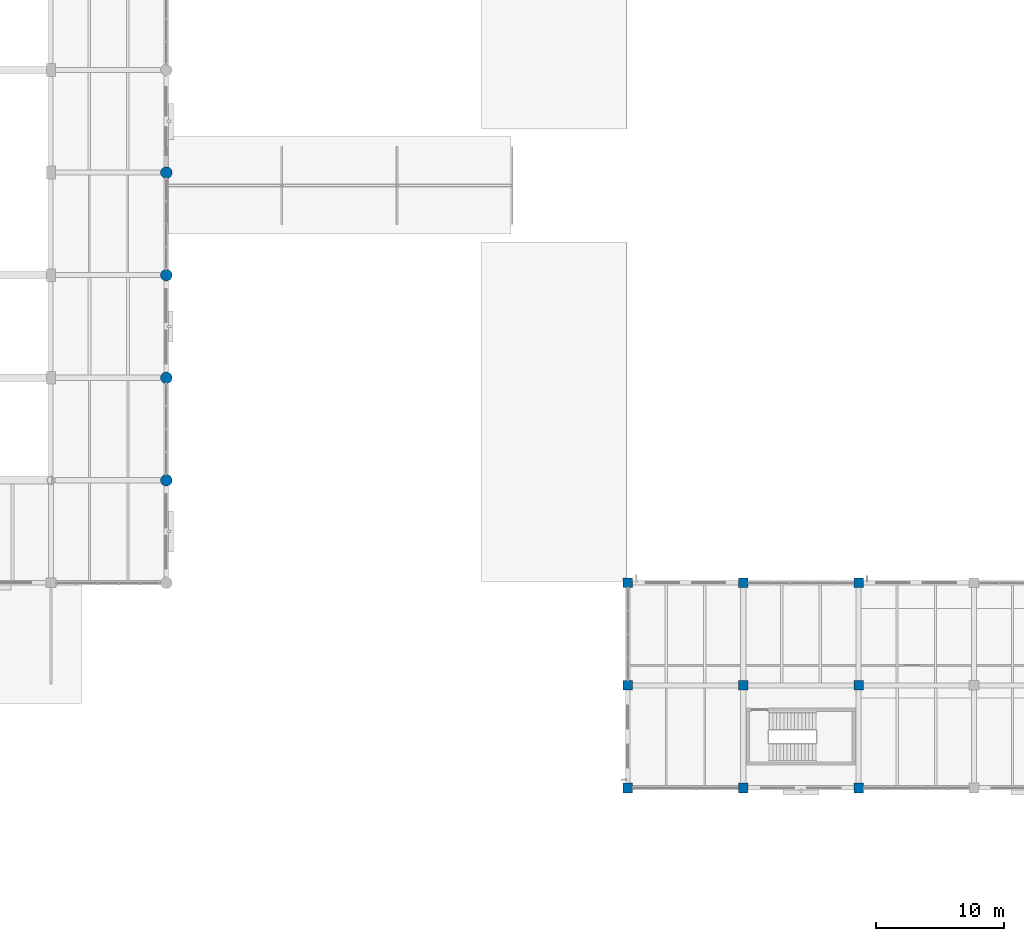
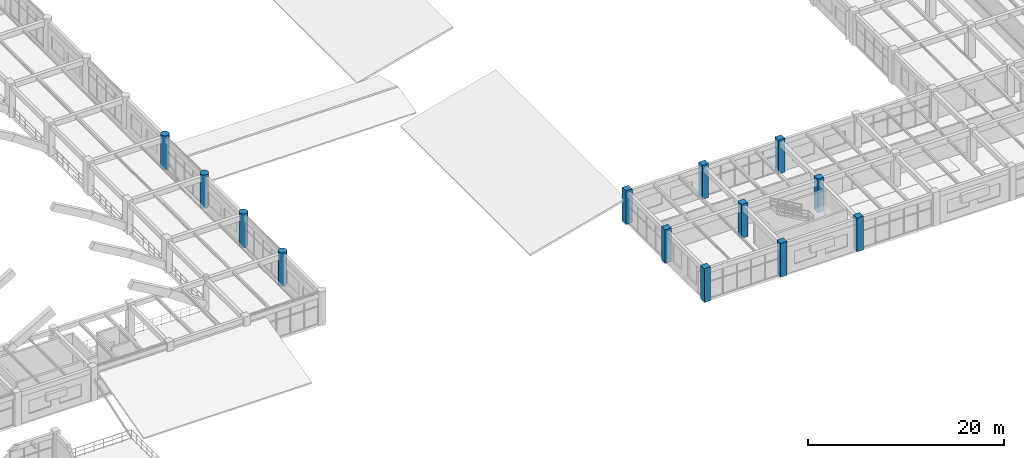
# One storey, part 5 of 148: 13 columns.
"""IFC4 building model written with IfcOpenShell, lengths in metres."""

import ifcopenshell
import ifcopenshell.guid

model = None  # the IFC model being written
_history = None  # IfcOwnerHistory: only IFC2X3 demands one
_inside = {}  # id of a spatial element -> (the spatial element, [elements in it])
_under = {}  # id of a project, library or spatial element -> (it, [spatial elements below it])
_declared = {}  # id of a project -> (the project, [libraries it declares])
_typed = {}  # id of a type object -> (the type object, [elements of that type])
_made_of = {}  # id of a material, layer set ... -> (it, [elements and type objects made of it])


def new_model(schema):
    """Start an empty IFC model of exactly this schema.

    Asked for "IFC4X3", IfcOpenShell would pick the latest addendum, in which some entities
    have other attributes; the version numbers below select the first issue.
    IFC2X3 requires an IfcOwnerHistory on every rooted entity: one is made here for all.
    """
    global model, _history
    if schema == "IFC4X3":
        model = ifcopenshell.file(schema_version=(4, 3, 0, 0))
    else:
        model = ifcopenshell.file(schema=schema)
    _inside.clear()
    _under.clear()
    _declared.clear()
    _typed.clear()
    _made_of.clear()
    _history = None
    if model.schema == "IFC2X3":
        org = make("IfcOrganization", Name="unknown")
        user = make(
            "IfcPersonAndOrganization",
            ThePerson=make("IfcPerson", FamilyName="unknown"),
            TheOrganization=org,
        )
        app = make(
            "IfcApplication",
            ApplicationDeveloper=org,
            Version="unknown",
            ApplicationFullName="unknown",
            ApplicationIdentifier="unknown",
        )
        _history = make(
            "IfcOwnerHistory",
            OwningUser=user,
            OwningApplication=app,
            ChangeAction="ADDED",
            CreationDate=0,
        )
    return model


def make(cls, **values):
    """One entity of the class cls with the attributes given. An attribute that is None is left unset."""
    return model.create_entity(
        cls, **{name: value for name, value in values.items() if value is not None}
    )


def rooted(cls, **values):
    """An entity with a GlobalId (a new one), such as an element, a storey or a relation."""
    return make(cls, GlobalId=ifcopenshell.guid.new(), OwnerHistory=_history, **values)


def si_unit(unit_type, name, prefix=None):
    """IfcSIUnit, for example si_unit("LENGTHUNIT", "METRE", prefix="MILLI")."""
    return make("IfcSIUnit", UnitType=unit_type, Prefix=prefix, Name=name)


def derived_unit(unit_type, elements):
    """IfcDerivedUnit: a product of units, each with its exponent."""
    return make(
        "IfcDerivedUnit",
        Elements=[
            make("IfcDerivedUnitElement", Unit=unit, Exponent=power)
            for unit, power in elements
        ],
        UnitType=unit_type,
    )


def assignment(units):
    """IfcUnitAssignment: the units of a project."""
    return None if units is None else make("IfcUnitAssignment", Units=units)


def point(xyz):
    """IfcCartesianPoint."""
    return None if xyz is None else make("IfcCartesianPoint", Coordinates=xyz)


def direction(xyz):
    """IfcDirection."""
    return None if xyz is None else make("IfcDirection", DirectionRatios=xyz)


def frame(location, z_axis=None, x_axis=None):
    """IfcAxis2Placement3D, a coordinate frame: its origin and axes. An axis left out is left unset."""
    return make(
        "IfcAxis2Placement3D",
        Location=point(location),
        Axis=direction(z_axis),
        RefDirection=direction(x_axis),
    )


def frame_2d(location, x_axis=None):
    """IfcAxis2Placement2D, a coordinate frame in the plane: its origin and x axis."""
    return make(
        "IfcAxis2Placement2D", Location=point(location), RefDirection=direction(x_axis)
    )


def origin():
    """The frame at (0, 0, 0) with its axes left unset."""
    return frame((0.0, 0.0, 0.0))


def origin_2d():
    """The frame at (0, 0) in the plane with its x axis left unset."""
    return frame_2d((0.0, 0.0))


def place(relative_to, where):
    """IfcLocalPlacement: puts the frame where relative to a parent placement (None: the world)."""
    return make(
        "IfcLocalPlacement", PlacementRelTo=relative_to, RelativePlacement=where
    )


def context(
    kind, dimensions, precision=None, world=None, true_north=None, identifier=None
):
    """IfcGeometricRepresentationContext, for example the 3D "Model" context."""
    return make(
        "IfcGeometricRepresentationContext",
        ContextIdentifier=identifier,
        ContextType=kind,
        CoordinateSpaceDimension=dimensions,
        Precision=precision,
        WorldCoordinateSystem=world,
        TrueNorth=true_north,
    )


def subcontext(parent, identifier, kind, view, scale=None):
    """IfcGeometricRepresentationSubContext, for example "Body" below "Model"."""
    return make(
        "IfcGeometricRepresentationSubContext",
        ContextIdentifier=identifier,
        ContextType=kind,
        ParentContext=parent,
        TargetScale=scale,
        TargetView=view,
    )


def project(units=None, contexts=None):
    """IfcProject with its units and contexts."""
    return rooted(
        "IfcProject",
        Name="project",
        RepresentationContexts=contexts,
        UnitsInContext=assignment(units),
    )


def spatial(cls, under=None, at=None, **own):
    """A site, building, storey or space (cls), placed at a placement, below another one or the project."""
    s = rooted(cls, ObjectPlacement=at, **own)
    if under is not None:
        _under.setdefault(under.id(), (under, []))[1].append(s)
    return s


def profile(cls, at=None, kind="AREA", **sizes):
    """A parametric profile (cls). Its sizes go by their IFC names, for example OverallWidth=200.0."""
    return make(cls, ProfileType=kind, Position=at, **sizes)


def rectangle(**sizes):
    """IfcRectangleProfileDef."""
    return profile("IfcRectangleProfileDef", **sizes)


def circle(**sizes):
    """IfcCircleProfileDef."""
    return profile("IfcCircleProfileDef", **sizes)


def extrude(swept, where, along, depth):
    """IfcExtrudedAreaSolid: the profile swept, set in the frame where, extruded along a direction by depth."""
    return make(
        "IfcExtrudedAreaSolid",
        SweptArea=swept,
        Position=where,
        ExtrudedDirection=direction(along),
        Depth=depth,
    )


def shape(context_of_items, identifier, shape_type, items):
    """IfcShapeRepresentation: the items that make up one representation, for example the "Body"."""
    return make(
        "IfcShapeRepresentation",
        ContextOfItems=context_of_items,
        RepresentationIdentifier=identifier,
        RepresentationType=shape_type,
        Items=items,
    )


def material(Name=None, Category=None):
    """IfcMaterial."""
    return make("IfcMaterial", Name=Name, Category=Category)


def material_profile(
    of_material, cross_section, Name=None, Category=None, Priority=None
):
    """IfcMaterialProfile: a cross section and its material."""
    return make(
        "IfcMaterialProfile",
        Name=Name,
        Material=of_material,
        Profile=cross_section,
        Priority=Priority,
        Category=Category,
    )


def profile_set(profiles, Name=None, composite=None):
    """IfcMaterialProfileSet."""
    return make(
        "IfcMaterialProfileSet",
        Name=Name,
        MaterialProfiles=profiles,
        CompositeProfile=composite,
    )


def made_of(thing, what):
    """Note that an element or type object is made of a material, layer set ...; save() writes the relation."""
    if what is not None:
        _made_of.setdefault(what.id(), (what, []))[1].append(thing)
    return thing


def type_object(cls, material=None, **own):
    """A type object (cls), such as IfcWallType, which elements share."""
    return made_of(rooted(cls, **own), material)


def element(
    cls,
    number,
    at=None,
    inside=None,
    cuts=None,
    type_object=None,
    material=None,
    context=None,
    identifier="Body",
    shape_type=None,
    held_by="IfcProductDefinitionShape",
    body=None,
    shapes=None,
    **own,
):
    """One element of the class cls, such as IfcWall. Its Tag is "e" and its number.

    at: its placement. inside: the storey or other place that contains it. cuts: it is an
    opening in that element (IfcRelVoidsElement). A single representation is given by context,
    identifier, shape_type and body (its items); several are given by shapes. held_by: the class
    of the entity that holds the representations. save() writes the other relations.
    """
    e = rooted(cls, Tag="e%d" % number, ObjectPlacement=at, **own)
    if body is not None:
        shapes = [shape(context, identifier, shape_type, body)]
    if shapes is not None:
        e.Representation = make(held_by, Representations=shapes)
    if inside is not None:
        _inside.setdefault(inside.id(), (inside, []))[1].append(e)
    if cuts is not None:
        rooted(
            "IfcRelVoidsElement", RelatingBuildingElement=cuts, RelatedOpeningElement=e
        )
    if type_object is not None:
        _typed.setdefault(type_object.id(), (type_object, []))[1].append(e)
    return made_of(e, material)


def aggregate(whole, parts):
    """IfcRelAggregates: a whole, such as a stair, and the parts it consists of."""
    return rooted("IfcRelAggregates", RelatingObject=whole, RelatedObjects=parts)


def save(model, path):
    """Write the relations noted so far, then the file.

    IfcRelAggregates (storeys below a building ...), IfcRelContainedInSpatialStructure (elements
    in a storey), IfcRelDefinesByType, IfcRelAssociatesMaterial and IfcRelDeclares: one each for
    every whole, place, type object, material and project.
    """
    for whole, parts in _under.values():
        aggregate(whole, parts)
    for where, things in _inside.values():
        rooted(
            "IfcRelContainedInSpatialStructure",
            RelatedElements=things,
            RelatingStructure=where,
        )
    for kind, things in _typed.values():
        rooted("IfcRelDefinesByType", RelatedObjects=things, RelatingType=kind)
    for what, things in _made_of.values():
        rooted("IfcRelAssociatesMaterial", RelatedObjects=things, RelatingMaterial=what)
    for by, libraries in _declared.values():
        rooted("IfcRelDeclares", RelatingContext=by, RelatedDefinitions=libraries)
    model.write(path)


model = new_model("IFC4")

# Units and contexts
model_context = context("Model", 3, precision=1e-05, world=origin(), true_north=direction((0.0, 1.0)))
body_context = subcontext(model_context, "Body", "Model", "MODEL_VIEW")
ifc_project = project(units=[si_unit("LENGTHUNIT", "METRE"), si_unit("AREAUNIT", "SQUARE_METRE"), si_unit("VOLUMEUNIT", "CUBIC_METRE"), si_unit("PLANEANGLEUNIT", "RADIAN"), si_unit("MASSUNIT", "GRAM", prefix="KILO"), derived_unit("THERMALTRANSMITTANCEUNIT", [(si_unit("MASSUNIT", "GRAM", prefix="KILO"), 1), (si_unit("TIMEUNIT", "SECOND"), -3), (si_unit("THERMODYNAMICTEMPERATUREUNIT", "KELVIN"), -1)])], contexts=[model_context])

# Site, building, storey
site_placement = place(None, origin())
site = spatial("IfcSite", under=ifc_project, at=site_placement, CompositionType="ELEMENT")
building_placement = place(site_placement, origin())
building = spatial("IfcBuilding", under=site, at=building_placement, Name="Zhenchuan Archway Interchange", CompositionType="ELEMENT")
storey_placement = place(building_placement, frame((0.0, 0.0, 10.199951171875)))
storey = spatial("IfcBuildingStorey", under=building, at=storey_placement, Name="L02", CompositionType="ELEMENT", Elevation=10.199951171875)

# Columns
ifc_material = material(Name="Concrete C40", Category="concrete")
ifc_material_profile_1 = material_profile(ifc_material, rectangle(XDim=0.75, YDim=0.75, at=origin_2d()), Name="RC 750x750")
ifc_profile_set_1 = profile_set([ifc_material_profile_1], Name="Concrete C40")
column_type_1 = type_object("IfcColumnType", Name="COL_RC_750", PredefinedType="COLUMN", material=ifc_profile_set_1)
for number, where, z_axis, x_axis, name in (
    (1, (108.0, 8.0, 0.0), (0.0, 0.0, 1.0), (1.0, 0.0, 0.0), "Column 13/B (L02)"),
    (2, (108.0, 16.0, 0.0), (0.0, 0.0, 1.0), (1.0, 0.0, 0.0), "Column 13/C (L02)"),
    (3, (108.0, 24.0, 0.0), (0.0, 0.0, 1.0), (1.0, 0.0, 0.0), "Column 13/D (L02)"),
    (4, (117.0, 8.0, 0.0), (0.0, 0.0, 1.0), (1.0, 0.0, 0.0), "Column 14/B (L02)"),
    (5, (117.0, 16.0, 0.0), (0.0, 0.0, 1.0), (1.0, 0.0, 0.0), "Column 14/C (L02)"),
    (6, (117.0, 24.0, 0.0), (0.0, 0.0, 1.0), (1.0, 0.0, 0.0), "Column 14/D (L02)"),
    (7, (126.0, 8.0, 0.0), (0.0, 0.0, 1.0), (1.0, 0.0, 0.0), "Column 15/B (L02)"),
    (8, (126.0, 16.0, 0.0), (0.0, 0.0, 1.0), (1.0, 0.0, 0.0), "Column 15/C (L02)"),
    (9, (126.0, 24.0, 0.0), (0.0, 0.0, 1.0), (1.0, 0.0, 0.0), "Column 15/D (L02)"),
):
    element("IfcColumn", number, at=place(storey_placement, frame(where, z_axis=z_axis, x_axis=x_axis)), inside=storey, type_object=column_type_1, Name=name, PredefinedType="COLUMN", context=body_context, shape_type="SweptSolid", body=[
        extrude(rectangle(XDim=0.75, YDim=0.75, at=origin_2d()), origin(), (0.0, 0.0, 1.0), 4.199951171875),
    ])
ifc_material_profile_2 = material_profile(ifc_material, circle(Radius=0.449951171875, at=origin_2d()), Name="RC D900")
ifc_profile_set_2 = profile_set([ifc_material_profile_2], Name="Concrete C40")
column_type_2 = type_object("IfcColumnType", Name="COL_RC_D900", PredefinedType="COLUMN", material=ifc_profile_set_2)
for number, where, z_axis, x_axis, name in (
    (10, (72.0, 32.0, 0.0), (0.0, 0.0, 1.0), (1.0, 0.0, 0.0), "Column 9/E (L02)"),
    (11, (72.0, 40.0, 0.0), (0.0, 0.0, 1.0), (1.0, 0.0, 0.0), "Column 9/F (L02)"),
    (12, (72.0, 48.0, 0.0), (0.0, 0.0, 1.0), (1.0, 0.0, 0.0), "Column 9/G (L02)"),
    (13, (72.0, 56.0, 0.0), (0.0, 0.0, 1.0), (1.0, 0.0, 0.0), "Column 9/H (L02)"),
):
    element("IfcColumn", number, at=place(storey_placement, frame(where, z_axis=z_axis, x_axis=x_axis)), inside=storey, type_object=column_type_2, Name=name, PredefinedType="COLUMN", context=body_context, shape_type="SweptSolid", body=[
        extrude(circle(Radius=0.449951171875, at=origin_2d()), origin(), (0.0, 0.0, 1.0), 4.199951171875),
    ])

save(model, "model.ifc")
